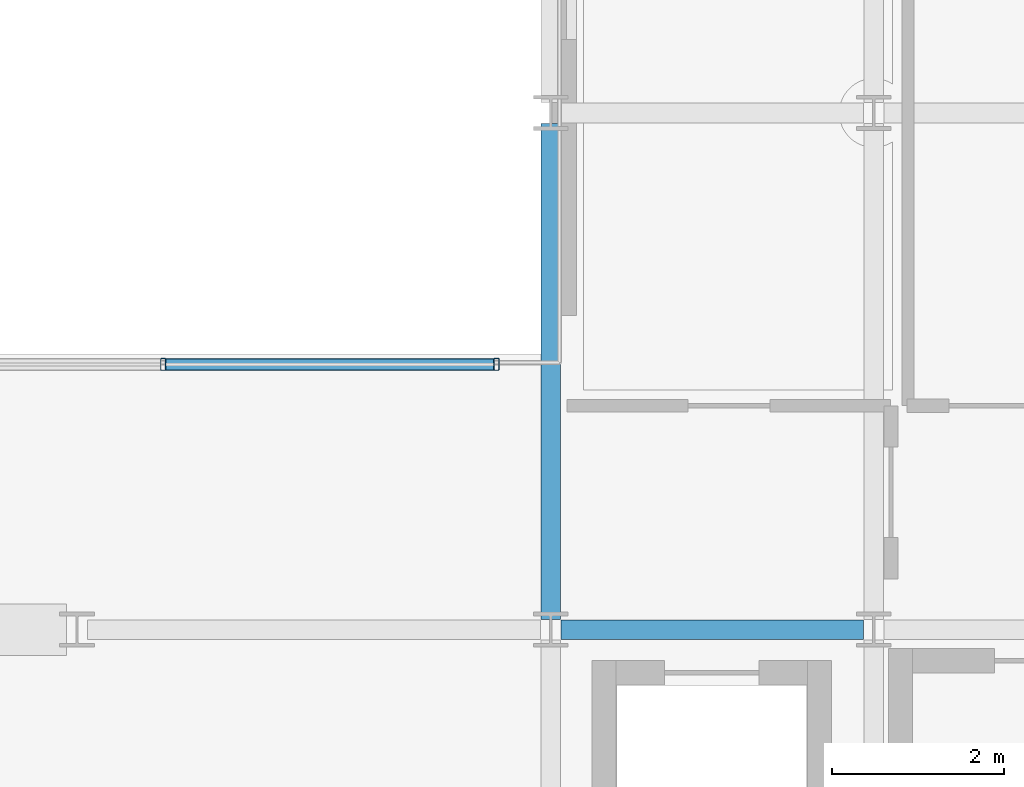
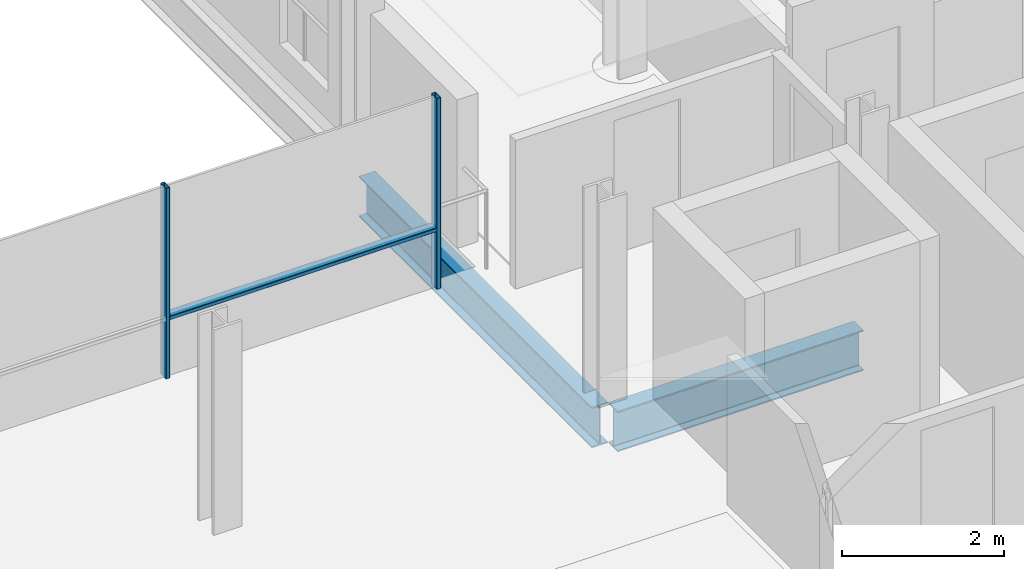
# One storey, part 15 of 41: 3 members, 2 beams, 1 element without a shape of its own.
"""IFC4 building model written with IfcOpenShell, lengths in metres."""

from ifc_helpers import new_model, si_unit, direction, frame, origin, origin_2d, place, context, subcontext, project, spatial, hollow_rectangle, i_section, extrude, material, layer, layer_set, material_profile, profile_set, type_object, element, aggregate, save


model = new_model("IFC4")

# Units and contexts
model_context = context("Model", 3, precision=1e-05, world=origin(), true_north=direction((0.0, 1.0)))
body_context = subcontext(model_context, "Body", "Model", "MODEL_VIEW")
ifc_project = project(units=[si_unit("LENGTHUNIT", "METRE"), si_unit("AREAUNIT", "SQUARE_METRE"), si_unit("VOLUMEUNIT", "CUBIC_METRE"), si_unit("PLANEANGLEUNIT", "RADIAN"), si_unit("MASSUNIT", "GRAM", prefix="KILO")], contexts=[model_context])

# Site, building, storey
site_placement = place(None, origin())
site = spatial("IfcSite", under=ifc_project, at=site_placement, CompositionType="ELEMENT")
building_placement = place(site_placement, origin())
building = spatial("IfcBuilding", under=site, at=building_placement, Name="Brevholm Reach", CompositionType="ELEMENT")
storey_placement = place(building_placement, frame((0.0, 0.0, 144.89990234375)))
storey = spatial("IfcBuildingStorey", under=building, at=storey_placement, Name="L43", CompositionType="ELEMENT", Elevation=144.89990234375)

# Beams
ifc_material_1 = material(Name="Structural Steel S355J2", Category="steel")
ifc_material_profile_1 = material_profile(ifc_material_1, i_section(OverallWidth=0.22900390625, OverallDepth=0.6123046875, WebThickness=0.011962890625, FlangeThickness=0.01953125, FilletRadius=0.0126953125, at=origin_2d()), Name="UKB 610x229x125")
ifc_profile_set_1 = profile_set([ifc_material_profile_1], Name="Structural Steel S355J2")
beam_type = type_object("IfcBeamType", Name="BM-SP610", PredefinedType="SPANDREL", material=ifc_profile_set_1)
beam_1_placement = place(storey_placement, frame((38.3701171875, 10.0, -0.526123046875), z_axis=(1.0, 0.0, 0.0), x_axis=(0.0, 1.0, 0.0)))
element("IfcBeam", 1, at=beam_1_placement, inside=storey, type_object=beam_type, Name="L43 SP-01 Framing Beam", PredefinedType="SPANDREL", context=body_context, shape_type="SweptSolid", body=[
    extrude(i_section(OverallWidth=0.22900390625, OverallDepth=0.6123046875, WebThickness=0.011962890625, FlangeThickness=0.01953125, FilletRadius=0.0126953125, at=origin_2d()), origin(), (0.0, 0.0, 1.0), 3.509765625),
])
beam_2_placement = place(storey_placement, frame((38.25, 10.1201171875, -0.526123046875), z_axis=(0.0, 1.0, 0.0), x_axis=(-1.0, 0.0, 0.0)))
element("IfcBeam", 2, at=beam_2_placement, inside=storey, type_object=beam_type, Name="L43 SP-01 Framing Beam", PredefinedType="SPANDREL", context=body_context, shape_type="SweptSolid", body=[
    extrude(i_section(OverallWidth=0.22900390625, OverallDepth=0.6123046875, WebThickness=0.011962890625, FlangeThickness=0.01953125, FilletRadius=0.0126953125, at=origin_2d()), origin(), (0.0, 0.0, 1.0), 5.759765625),
])

# Curtain wall, members
ifc_material_2 = material(Name="Dark Anodised Aluminium 6063-T6 and Solar-Control Glass", Category="aluminium")
ifc_layer = layer(ifc_material_2, 0.139892578125)
ifc_layer_set = layer_set([ifc_layer], Name="Dark Anodised Aluminium 6063-T6 and Solar-Control Glass")
curtain_wall_type = type_object("IfcCurtainWallType", Name="CW-02", PredefinedType="NOTDEFINED", material=ifc_layer_set)
curtain_wall_placement = place(storey_placement, origin())
curtain_wall = element("IfcCurtainWall", 3, at=curtain_wall_placement, inside=storey, type_object=curtain_wall_type, Name="L43 Curtain Wall CW-02", PredefinedType="NOTDEFINED")
ifc_material_3 = material(Name="Dark Anodised Aluminium 6063-T6", Category="aluminium")
ifc_material_profile_2 = material_profile(ifc_material_3, hollow_rectangle(XDim=0.06005859375, YDim=0.139892578125, WallThickness=0.0048828125, InnerFilletRadius=0.0048828125, OuterFilletRadius=0.010009765625, at=origin_2d()), Name="RHS 140x60x5")
ifc_profile_set_2 = profile_set([ifc_material_profile_2], Name="Dark Anodised Aluminium 6063-T6")
member_type_1 = type_object("IfcMemberType", Name="CWM-140", PredefinedType="MULLION", material=ifc_profile_set_2)
member_1_placement = place(storey_placement, frame((33.75, 13.080078125, 0.0), z_axis=(0.0, 0.0, 1.0), x_axis=(1.0, 0.0, 0.0)))
member_1 = element("IfcMember", 4, at=member_1_placement, type_object=member_type_1, Name="CM-140 Mullion 4", PredefinedType="MULLION", context=body_context, shape_type="SweptSolid", body=[
    extrude(hollow_rectangle(XDim=0.06005859375, YDim=0.139892578125, WallThickness=0.0048828125, InnerFilletRadius=0.0048828125, OuterFilletRadius=0.010009765625, at=origin_2d()), origin(), (0.0, 0.0, 1.0), 2.880126953125),
])
member_2_placement = place(storey_placement, frame((37.6201171875, 13.080078125, 0.0), z_axis=(0.0, 0.0, 1.0), x_axis=(1.0, 0.0, 0.0)))
member_2 = element("IfcMember", 5, at=member_2_placement, type_object=member_type_1, Name="CM-140 Mullion 5", PredefinedType="MULLION", context=body_context, shape_type="SweptSolid", body=[
    extrude(hollow_rectangle(XDim=0.06005859375, YDim=0.139892578125, WallThickness=0.0048828125, InnerFilletRadius=0.0048828125, OuterFilletRadius=0.010009765625, at=origin_2d()), origin(), (0.0, 0.0, 1.0), 2.880126953125),
])
ifc_material_4 = material(Name="Dark Anodised Aluminium 6063-T6", Category="aluminium")
ifc_material_profile_3 = material_profile(ifc_material_4, hollow_rectangle(XDim=0.06005859375, YDim=0.139892578125, WallThickness=0.0048828125, InnerFilletRadius=0.0048828125, OuterFilletRadius=0.010009765625, at=origin_2d()), Name="RHS 140x60x5")
ifc_profile_set_3 = profile_set([ifc_material_profile_3], Name="Dark Anodised Aluminium 6063-T6")
member_type_2 = type_object("IfcMemberType", Name="CWT-140", PredefinedType="NOTDEFINED", material=ifc_profile_set_3)
member_3_placement = place(storey_placement, frame((33.780029296875, 13.080078125, 0.900146484375), z_axis=(1.0, 0.0, 0.0), x_axis=(0.0, 0.0, 1.0)))
member_3 = element("IfcMember", 6, at=member_3_placement, type_object=member_type_2, Name="CT-140 Transom 4.1", ObjectType="TRANSOM", PredefinedType="USERDEFINED", context=body_context, shape_type="SweptSolid", body=[
    extrude(hollow_rectangle(XDim=0.06005859375, YDim=0.139892578125, WallThickness=0.0048828125, InnerFilletRadius=0.0048828125, OuterFilletRadius=0.010009765625, at=origin_2d()), origin(), (0.0, 0.0, 1.0), 3.81005859375),
])
aggregate(curtain_wall, [member_1, member_2, member_3])

save(model, "model.ifc")
